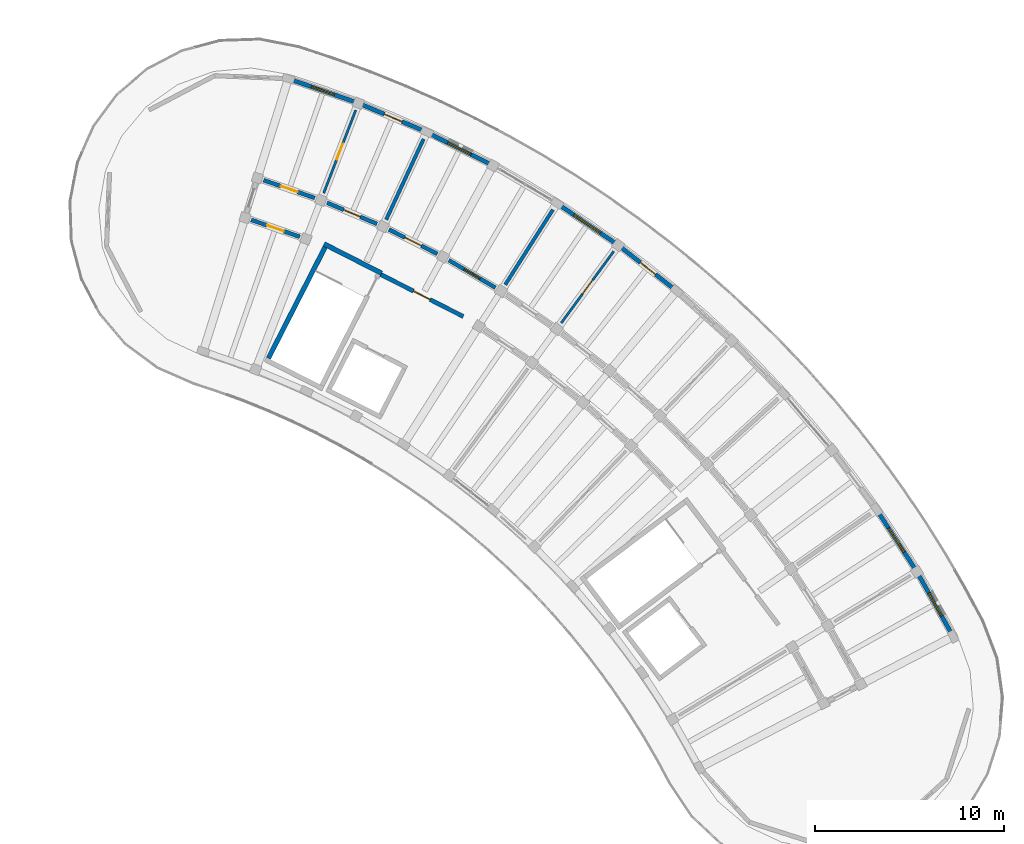
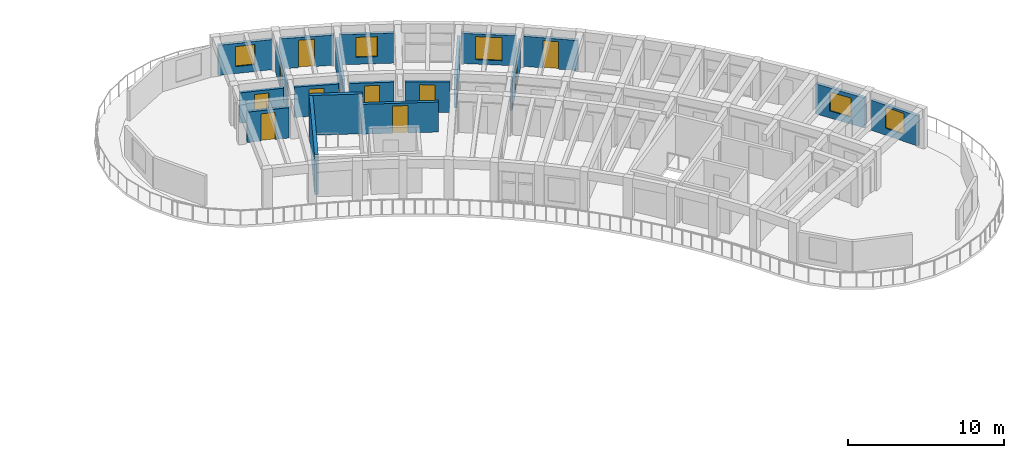
# One storey, part 24 of 32: 19 walls, 10 doors, 5 windows, 15 openings.
"""IFC4 building model written with IfcOpenShell, lengths in metres."""

from ifc_helpers import new_model, si_unit, direction, frame, frame_2d, origin, place, context, subcontext, project, spatial, rectangle, extrude, material, layer, layer_set, type_object, element, fill, save


model = new_model("IFC4")

# Units and contexts
model_context = context("Model", 3, precision=1e-05, world=origin(), true_north=direction((0.0, 1.0)))
body_context = subcontext(model_context, "Body", "Model", "MODEL_VIEW")
ifc_project = project(units=[si_unit("LENGTHUNIT", "METRE"), si_unit("AREAUNIT", "SQUARE_METRE"), si_unit("VOLUMEUNIT", "CUBIC_METRE"), si_unit("PLANEANGLEUNIT", "RADIAN"), si_unit("MASSUNIT", "GRAM", prefix="KILO")], contexts=[model_context])

# Site, building, storey
site_placement = place(None, origin())
site = spatial("IfcSite", under=ifc_project, at=site_placement, CompositionType="ELEMENT")
building_placement = place(site_placement, origin())
building = spatial("IfcBuilding", under=site, at=building_placement, Name="Tanwirah Colonnade Gardens", CompositionType="ELEMENT")
storey_placement = place(building_placement, frame((0.0, 0.0, 42.43994140625)))
storey = spatial("IfcBuildingStorey", under=building, at=storey_placement, Name="L12", CompositionType="ELEMENT", Elevation=42.43994140625)

# Wall, opening, window
ifc_material_1 = material(Name="Limestone architectural precast concrete C40/50", Category="masonry")
ifc_layer_1 = layer(ifc_material_1, 0.219970703125)
ifc_layer_set_1 = layer_set([ifc_layer_1], Name="Limestone architectural precast concrete C40/50")
wall_type_1 = type_object("IfcWallType", Name="EW-PC220", PredefinedType="SOLIDWALL", material=ifc_layer_set_1)
wall_1_placement = place(storey_placement, frame((173.82080078125, 87.687255859375, 0.0), z_axis=(0.0, 0.0, 1.0), x_axis=(-0.48821802437, 0.872721697152, 0.0)))
wall_1 = element("IfcWall", 1, at=wall_1_placement, inside=storey, type_object=wall_type_1, Name="Block B L12 OUT Precast Facade Wall 3", PredefinedType="SOLIDWALL", context=body_context, shape_type="SweptSolid", body=[
    extrude(rectangle(XDim=3.531005859375, YDim=0.219970703125, at=frame_2d((1.765625, 0.0))), origin(), (0.0, 0.0, 1.0), 2.35498046875),
])
opening_1_placement = place(wall_1_placement, frame((1.0654296875, 0.0, 0.550048828125)))
opening_1 = element("IfcOpeningElement", 2, at=opening_1_placement, cuts=wall_1, Name="Opening WIN-U07", PredefinedType="OPENING", context=body_context, shape_type="SweptSolid", body=[
    extrude(rectangle(XDim=1.39990234375, YDim=1.635009765625, at=frame_2d((0.699951171875, 0.8173828125))), frame((0.0, 0.119873046875, 0.0), z_axis=(0.0, -1.0, 0.0), x_axis=(1.0, 0.0, 0.0)), (0.0, 0.0, 1.0), 0.239990234375),
])
ifc_material_2 = material(Name="Thermally broken bronze aluminium and solar low-E double glazing", Category="aluminium")
window_type_1 = type_object("IfcWindowType", Name="WIN-U07", PartitioningType="DOUBLE_PANEL_VERTICAL", PredefinedType="WINDOW", material=ifc_material_2)
window_1_placement = place(opening_1_placement, origin())
window_1 = element("IfcWindow", 3, at=window_1_placement, inside=storey, type_object=window_type_1, Name="Facade window B-L12-OUT-03", OverallHeight=1.635009765625, OverallWidth=1.39990234375, PartitioningType="SINGLE_PANEL", PredefinedType="WINDOW", context=body_context, shape_type="SweptSolid", body=[
    extrude(rectangle(XDim=1.39990234375, YDim=1.635009765625, at=frame_2d((0.699951171875, 0.8173828125))), frame((0.0, 0.030029296875, 0.0), z_axis=(0.0, -1.0, 0.0), x_axis=(1.0, 0.0, 0.0)), (0.0, 0.0, 1.0), 0.06005859375),
])
fill(opening_1, window_1)

wall_2_placement = place(storey_placement, frame((171.859375, 91.162353515625, 0.0), z_axis=(0.0, 0.0, 1.0), x_axis=(-0.544606706198, 0.838691561639, 0.0)))
wall_2 = element("IfcWall", 4, at=wall_2_placement, inside=storey, type_object=wall_type_1, Name="Block B L12 OUT Precast Facade Wall 4", PredefinedType="SOLIDWALL", context=body_context, shape_type="SweptSolid", body=[
    extrude(rectangle(XDim=3.53076171875, YDim=0.219970703125, at=frame_2d((1.765380859375, 0.0))), origin(), (0.0, 0.0, 1.0), 2.35498046875),
])
opening_2_placement = place(wall_2_placement, frame((1.00537109375, 0.0, 0.550048828125)))
opening_2 = element("IfcOpeningElement", 5, at=opening_2_placement, cuts=wall_2, Name="Opening WIN-U10", PredefinedType="OPENING", context=body_context, shape_type="SweptSolid", body=[
    extrude(rectangle(XDim=1.52001953125, YDim=1.485107421875, at=frame_2d((0.760009765625, 0.74267578125))), frame((0.0, 0.119873046875, 0.0), z_axis=(0.0, -1.0, 0.0), x_axis=(1.0, 0.0, 0.0)), (0.0, 0.0, 1.0), 0.239990234375),
])
window_type_2 = type_object("IfcWindowType", Name="WIN-U10", PartitioningType="DOUBLE_PANEL_VERTICAL", PredefinedType="WINDOW", material=ifc_material_2)
window_2_placement = place(opening_2_placement, origin())
window_2 = element("IfcWindow", 6, at=window_2_placement, inside=storey, type_object=window_type_2, Name="Facade window B-L12-OUT-04", OverallHeight=1.485107421875, OverallWidth=1.52001953125, PartitioningType="SINGLE_PANEL", PredefinedType="WINDOW", context=body_context, shape_type="SweptSolid", body=[
    extrude(rectangle(XDim=1.52001953125, YDim=1.485107421875, at=frame_2d((0.760009765625, 0.74267578125))), frame((0.0, 0.030029296875, 0.0), z_axis=(0.0, -1.0, 0.0), x_axis=(1.0, 0.0, 0.0)), (0.0, 0.0, 1.0), 0.06005859375),
])
fill(opening_2, window_2)

# Wall, opening, door
wall_3_placement = place(storey_placement, frame((159.148193359375, 105.919677734375, 0.0), z_axis=(0.0, 0.0, 1.0), x_axis=(-0.786809962682, 0.617195335873, 0.0)))
wall_3 = element("IfcWall", 7, at=wall_3_placement, inside=storey, type_object=wall_type_1, Name="Block B L12 OUT Precast Facade Wall 9", PredefinedType="SOLIDWALL", context=body_context, shape_type="SweptSolid", body=[
    extrude(rectangle(XDim=3.53076171875, YDim=0.219970703125, at=frame_2d((1.765380859375, 0.0))), origin(), (0.0, 0.0, 1.0), 2.35498046875),
])
opening_3_placement = place(wall_3_placement, frame((1.25537109375, 0.0, 0.0)))
opening_3 = element("IfcOpeningElement", 8, at=opening_3_placement, cuts=wall_3, Name="Opening L12-ED123", PredefinedType="OPENING", context=body_context, shape_type="SweptSolid", body=[
    extrude(rectangle(XDim=1.02001953125, YDim=2.139892578125, at=frame_2d((0.510009765625, 1.06982421875))), frame((0.0, 0.119873046875, 0.0), z_axis=(0.0, -1.0, 0.0), x_axis=(1.0, 0.0, 0.0)), (0.0, 0.0, 1.0), 0.239990234375),
])
ifc_material_3 = material(Name="Bronze aluminium glazed balcony door", Category="aluminium")
door_type_1 = type_object("IfcDoorType", Name="ED-BAL102", OperationType="NOTDEFINED", PredefinedType="DOOR", material=ifc_material_3)
door_1_placement = place(opening_3_placement, origin())
door_1 = element("IfcDoor", 9, at=door_1_placement, inside=storey, type_object=door_type_1, Name="Balcony glazed door L12-ED123", OperationType="SINGLE_SWING_RIGHT", OverallHeight=2.139892578125, OverallWidth=1.02001953125, PredefinedType="DOOR", context=body_context, shape_type="SweptSolid", body=[
    extrude(rectangle(XDim=1.02001953125, YDim=2.139892578125, at=frame_2d((0.510009765625, 1.06982421875))), frame((0.0, 0.02490234375, 0.0), z_axis=(0.0, -1.0, 0.0), x_axis=(1.0, 0.0, 0.0)), (0.0, 0.0, 1.0), 0.050048828125),
])
fill(opening_3, door_1)

# Wall, opening, window
wall_4_placement = place(storey_placement, frame((155.999267578125, 108.37060546875, 0.0), z_axis=(0.0, 0.0, 1.0), x_axis=(-0.825785272096, 0.563984649072, 0.0)))
wall_4 = element("IfcWall", 10, at=wall_4_placement, inside=storey, type_object=wall_type_1, Name="Block B L12 OUT Precast Facade Wall 10", PredefinedType="SOLIDWALL", context=body_context, shape_type="SweptSolid", body=[
    extrude(rectangle(XDim=3.530517578125, YDim=0.219970703125, at=frame_2d((1.76513671875, 0.0))), origin(), (0.0, 0.0, 1.0), 2.35498046875),
])
opening_4_placement = place(wall_4_placement, frame((0.915283203125, 0.0, 0.35009765625)))
opening_4 = element("IfcOpeningElement", 11, at=opening_4_placement, cuts=wall_4, Name="Opening WIN-T12", PredefinedType="OPENING", context=body_context, shape_type="SweptSolid", body=[
    extrude(rectangle(XDim=1.699951171875, YDim=1.800048828125, at=frame_2d((0.85009765625, 0.89990234375))), frame((0.0, 0.119873046875, 0.0), z_axis=(0.0, -1.0, 0.0), x_axis=(1.0, 0.0, 0.0)), (0.0, 0.0, 1.0), 0.239990234375),
])
window_type_3 = type_object("IfcWindowType", Name="WIN-T12", PartitioningType="TRIPLE_PANEL_VERTICAL", PredefinedType="WINDOW", material=ifc_material_2)
window_3_placement = place(opening_4_placement, origin())
window_3 = element("IfcWindow", 12, at=window_3_placement, inside=storey, type_object=window_type_3, Name="Facade window B-L12-OUT-10", OverallHeight=1.800048828125, OverallWidth=1.699951171875, PartitioningType="SINGLE_PANEL", PredefinedType="WINDOW", context=body_context, shape_type="SweptSolid", body=[
    extrude(rectangle(XDim=1.699951171875, YDim=1.800048828125, at=frame_2d((0.85009765625, 0.89990234375))), frame((0.0, 0.030029296875, 0.0), z_axis=(0.0, -1.0, 0.0), x_axis=(1.0, 0.0, 0.0)), (0.0, 0.0, 1.0), 0.06005859375),
])
fill(opening_4, window_3)

wall_5_placement = place(storey_placement, frame((149.361572265625, 112.55419921875, 0.0), z_axis=(0.0, 0.0, 1.0), x_axis=(-0.892747589921, 0.450557144755, 0.0)))
wall_5 = element("IfcWall", 13, at=wall_5_placement, inside=storey, type_object=wall_type_1, Name="Block B L12 OUT Precast Facade Wall 12", PredefinedType="SOLIDWALL", context=body_context, shape_type="SweptSolid", body=[
    extrude(rectangle(XDim=3.53076171875, YDim=0.219970703125, at=frame_2d((1.765380859375, 0.0))), origin(), (0.0, 0.0, 1.0), 2.35498046875),
])
opening_5_placement = place(wall_5_placement, frame((1.0751953125, 0.0, 0.550048828125)))
opening_5 = element("IfcOpeningElement", 14, at=opening_5_placement, cuts=wall_5, Name="Opening WIN-T18", PredefinedType="OPENING", context=body_context, shape_type="SweptSolid", body=[
    extrude(rectangle(XDim=1.3798828125, YDim=1.56005859375, at=frame_2d((0.68994140625, 0.780029296875))), frame((0.0, 0.119873046875, 0.0), z_axis=(0.0, -1.0, 0.0), x_axis=(1.0, 0.0, 0.0)), (0.0, 0.0, 1.0), 0.239990234375),
])
window_type_4 = type_object("IfcWindowType", Name="WIN-T18", PartitioningType="DOUBLE_PANEL_VERTICAL", PredefinedType="WINDOW", material=ifc_material_2)
window_4_placement = place(opening_5_placement, origin())
window_4 = element("IfcWindow", 15, at=window_4_placement, inside=storey, type_object=window_type_4, Name="Facade window B-L12-OUT-12", OverallHeight=1.56005859375, OverallWidth=1.3798828125, PartitioningType="SINGLE_PANEL", PredefinedType="WINDOW", context=body_context, shape_type="SweptSolid", body=[
    extrude(rectangle(XDim=1.3798828125, YDim=1.56005859375, at=frame_2d((0.68994140625, 0.780029296875))), frame((0.0, 0.030029296875, 0.0), z_axis=(0.0, -1.0, 0.0), x_axis=(1.0, 0.0, 0.0)), (0.0, 0.0, 1.0), 0.06005859375),
])
fill(opening_5, window_4)

# Wall, opening, door
wall_6_placement = place(storey_placement, frame((145.910400390625, 114.28369140625, 0.0), z_axis=(0.0, 0.0, 1.0), x_axis=(-0.920495122718, 0.390754051869, 0.0)))
wall_6 = element("IfcWall", 16, at=wall_6_placement, inside=storey, type_object=wall_type_1, Name="Block B L12 OUT Precast Facade Wall 13", PredefinedType="SOLIDWALL", context=body_context, shape_type="SweptSolid", body=[
    extrude(rectangle(XDim=3.53076171875, YDim=0.219970703125, at=frame_2d((1.765380859375, 0.0))), origin(), (0.0, 0.0, 1.0), 2.35498046875),
])
opening_6_placement = place(wall_6_placement, frame((1.25537109375, 0.0, 0.0)))
opening_6 = element("IfcOpeningElement", 17, at=opening_6_placement, cuts=wall_6, Name="Opening L12-ED124", PredefinedType="OPENING", context=body_context, shape_type="SweptSolid", body=[
    extrude(rectangle(XDim=1.02001953125, YDim=2.139892578125, at=frame_2d((0.510009765625, 1.06982421875))), frame((0.0, 0.119873046875, 0.0), z_axis=(0.0, -1.0, 0.0), x_axis=(1.0, 0.0, 0.0)), (0.0, 0.0, 1.0), 0.239990234375),
])
door_2_placement = place(opening_6_placement, origin())
door_2 = element("IfcDoor", 18, at=door_2_placement, inside=storey, type_object=door_type_1, Name="Balcony glazed door L12-ED124", OperationType="SINGLE_SWING_RIGHT", OverallHeight=2.139892578125, OverallWidth=1.02001953125, PredefinedType="DOOR", context=body_context, shape_type="SweptSolid", body=[
    extrude(rectangle(XDim=1.02001953125, YDim=2.139892578125, at=frame_2d((0.510009765625, 1.06982421875))), frame((0.0, 0.02490234375, 0.0), z_axis=(0.0, -1.0, 0.0), x_axis=(1.0, 0.0, 0.0)), (0.0, 0.0, 1.0), 0.050048828125),
])
fill(opening_6, door_2)

# Wall, opening, window
wall_7_placement = place(storey_placement, frame((142.2314453125, 115.828857421875, 0.0), z_axis=(0.0, 0.0, 1.0), x_axis=(-0.944237181458, 0.329266070453, 0.0)))
wall_7 = element("IfcWall", 19, at=wall_7_placement, inside=storey, type_object=wall_type_1, Name="Block B L12 OUT Precast Facade Wall 14", PredefinedType="SOLIDWALL", context=body_context, shape_type="SweptSolid", body=[
    extrude(rectangle(XDim=3.53076171875, YDim=0.219970703125, at=frame_2d((1.765380859375, 0.0))), origin(), (0.0, 0.0, 1.0), 2.35498046875),
])
opening_7_placement = place(wall_7_placement, frame((1.125244140625, 0.0, 0.550048828125)))
opening_7 = element("IfcOpeningElement", 20, at=opening_7_placement, cuts=wall_7, Name="Opening WIN-U04", PredefinedType="OPENING", context=body_context, shape_type="SweptSolid", body=[
    extrude(rectangle(XDim=1.280029296875, YDim=1.56005859375, at=frame_2d((0.64013671875, 0.780029296875))), frame((0.0, 0.119873046875, 0.0), z_axis=(0.0, -1.0, 0.0), x_axis=(1.0, 0.0, 0.0)), (0.0, 0.0, 1.0), 0.239990234375),
])
window_type_5 = type_object("IfcWindowType", Name="WIN-U04", PartitioningType="DOUBLE_PANEL_VERTICAL", PredefinedType="WINDOW", material=ifc_material_2)
window_5_placement = place(opening_7_placement, origin())
window_5 = element("IfcWindow", 21, at=window_5_placement, inside=storey, type_object=window_type_5, Name="Facade window B-L12-OUT-14", OverallHeight=1.56005859375, OverallWidth=1.280029296875, PartitioningType="SINGLE_PANEL", PredefinedType="WINDOW", context=body_context, shape_type="SweptSolid", body=[
    extrude(rectangle(XDim=1.280029296875, YDim=1.56005859375, at=frame_2d((0.64013671875, 0.780029296875))), frame((0.0, 0.030029296875, 0.0), z_axis=(0.0, -1.0, 0.0), x_axis=(1.0, 0.0, 0.0)), (0.0, 0.0, 1.0), 0.06005859375),
])
fill(opening_7, window_5)

# Wall, opening, door
ifc_material_4 = material(Name="Precast concrete C40/50", Category="concrete")
ifc_layer_2 = layer(ifc_material_4, 0.205078125)
ifc_layer_set_2 = layer_set([ifc_layer_2], Name="Precast concrete C40/50")
wall_type_2 = type_object("IfcWallType", Name="IW-CORR205", PredefinedType="PARTITIONING", material=ifc_layer_set_2)
wall_8_placement = place(storey_placement, frame((149.6953125, 105.991455078125, 0.0), z_axis=(0.0, 0.0, 1.0), x_axis=(-0.861113214678, 0.508413248753, 0.0)))
wall_8 = element("IfcWall", 22, at=wall_8_placement, inside=storey, type_object=wall_type_2, Name="Block B L12 OUT Corridor Wall 11", PredefinedType="PARTITIONING", context=body_context, shape_type="SweptSolid", body=[
    extrude(rectangle(XDim=2.863037109375, YDim=0.205078125, at=frame_2d((1.431640625, 0.0))), origin(), (0.0, 0.0, 1.0), 2.3701171875),
])
opening_8_placement = place(wall_8_placement, frame((0.9365234375, 0.0, 0.0)))
opening_8 = element("IfcOpeningElement", 23, at=opening_8_placement, cuts=wall_8, Name="Opening L12-AD1271", PredefinedType="OPENING", context=body_context, shape_type="SweptSolid", body=[
    extrude(rectangle(XDim=0.989990234375, YDim=2.159912109375, at=frame_2d((0.4951171875, 1.080078125))), frame((0.0, 0.112548828125, 0.0), z_axis=(0.0, -1.0, 0.0), x_axis=(1.0, 0.0, 0.0)), (0.0, 0.0, 1.0), 0.22509765625),
])
ifc_material_5 = material(Name="Solid oak fire-resisting apartment entrance door")
door_type_2 = type_object("IfcDoorType", Name="ID-FLT099", OperationType="NOTDEFINED", PredefinedType="DOOR", material=ifc_material_5)
door_3_placement = place(opening_8_placement, origin())
door_3 = element("IfcDoor", 24, at=door_3_placement, inside=storey, type_object=door_type_2, Name="Apartment corridor door L12-AD1271", OperationType="SINGLE_SWING_RIGHT", OverallHeight=2.159912109375, OverallWidth=0.989990234375, PredefinedType="DOOR", context=body_context, shape_type="SweptSolid", body=[
    extrude(rectangle(XDim=0.989990234375, YDim=2.159912109375, at=frame_2d((0.4951171875, 1.080078125))), frame((0.0, 0.02490234375, 0.0), z_axis=(0.0, -1.0, 0.0), x_axis=(1.0, 0.0, 0.0)), (0.0, 0.0, 1.0), 0.050048828125),
])
fill(opening_8, door_3)

wall_9_placement = place(storey_placement, frame((146.615966796875, 107.782470703125, 0.0), z_axis=(0.0, 0.0, 1.0), x_axis=(-0.89273239336, 0.450587254419, 0.0)))
wall_9 = element("IfcWall", 25, at=wall_9_placement, inside=storey, type_object=wall_type_2, Name="Block B L12 OUT Corridor Wall 12", PredefinedType="PARTITIONING", context=body_context, shape_type="SweptSolid", body=[
    extrude(rectangle(XDim=2.863037109375, YDim=0.205078125, at=frame_2d((1.431640625, 0.0))), origin(), (0.0, 0.0, 1.0), 2.3701171875),
])
opening_9_placement = place(wall_9_placement, frame((0.946533203125, 0.0, 0.0)))
opening_9 = element("IfcOpeningElement", 26, at=opening_9_placement, cuts=wall_9, Name="Opening L12-AD1272", PredefinedType="OPENING", context=body_context, shape_type="SweptSolid", body=[
    extrude(rectangle(XDim=0.969970703125, YDim=2.14990234375, at=frame_2d((0.48486328125, 1.074951171875))), frame((0.0, 0.112548828125, 0.0), z_axis=(0.0, -1.0, 0.0), x_axis=(1.0, 0.0, 0.0)), (0.0, 0.0, 1.0), 0.22509765625),
])
door_type_3 = type_object("IfcDoorType", Name="ID-FLT097", OperationType="NOTDEFINED", PredefinedType="DOOR", material=ifc_material_5)
door_4_placement = place(opening_9_placement, origin())
door_4 = element("IfcDoor", 27, at=door_4_placement, inside=storey, type_object=door_type_3, Name="Apartment corridor door L12-AD1272", OperationType="SINGLE_SWING_LEFT", OverallHeight=2.14990234375, OverallWidth=0.969970703125, PredefinedType="DOOR", context=body_context, shape_type="SweptSolid", body=[
    extrude(rectangle(XDim=0.969970703125, YDim=2.14990234375, at=frame_2d((0.48486328125, 1.074951171875))), frame((0.0, 0.02490234375, 0.0), z_axis=(0.0, -1.0, 0.0), x_axis=(1.0, 0.0, 0.0)), (0.0, 0.0, 1.0), 0.050048828125),
])
fill(opening_9, door_4)

wall_10_placement = place(storey_placement, frame((143.42529296875, 109.366943359375, 0.0), z_axis=(0.0, 0.0, 1.0), x_axis=(-0.920511160294, 0.390716270168, 0.0)))
wall_10 = element("IfcWall", 28, at=wall_10_placement, inside=storey, type_object=wall_type_2, Name="Block B L12 OUT Corridor Wall 13", PredefinedType="PARTITIONING", context=body_context, shape_type="SweptSolid", body=[
    extrude(rectangle(XDim=2.863037109375, YDim=0.205078125, at=frame_2d((1.431640625, 0.0))), origin(), (0.0, 0.0, 1.0), 2.3701171875),
])
opening_10_placement = place(wall_10_placement, frame((0.95654296875, 0.0, 0.0)))
opening_10 = element("IfcOpeningElement", 29, at=opening_10_placement, cuts=wall_10, Name="Opening L12-AD1273", PredefinedType="OPENING", context=body_context, shape_type="SweptSolid", body=[
    extrude(rectangle(XDim=0.949951171875, YDim=2.1298828125, at=frame_2d((0.47509765625, 1.06494140625))), frame((0.0, 0.112548828125, 0.0), z_axis=(0.0, -1.0, 0.0), x_axis=(1.0, 0.0, 0.0)), (0.0, 0.0, 1.0), 0.22509765625),
])
door_type_4 = type_object("IfcDoorType", Name="ID-FLT095", OperationType="NOTDEFINED", PredefinedType="DOOR", material=ifc_material_5)
door_5_placement = place(opening_10_placement, origin())
door_5 = element("IfcDoor", 30, at=door_5_placement, inside=storey, type_object=door_type_4, Name="Apartment corridor door L12-AD1273", OperationType="SINGLE_SWING_RIGHT", OverallHeight=2.1298828125, OverallWidth=0.949951171875, PredefinedType="DOOR", context=body_context, shape_type="SweptSolid", body=[
    extrude(rectangle(XDim=0.949951171875, YDim=2.1298828125, at=frame_2d((0.47509765625, 1.06494140625))), frame((0.0, 0.02490234375, 0.0), z_axis=(0.0, -1.0, 0.0), x_axis=(1.0, 0.0, 0.0)), (0.0, 0.0, 1.0), 0.050048828125),
])
fill(opening_10, door_5)

wall_11_placement = place(storey_placement, frame((140.13720703125, 110.737548828125, 0.0), z_axis=(0.0, 0.0, 1.0), x_axis=(-0.944253820929, 0.329218349522, 0.0)))
wall_11 = element("IfcWall", 31, at=wall_11_placement, inside=storey, type_object=wall_type_2, Name="Block B L12 OUT Corridor Wall 14", PredefinedType="PARTITIONING", context=body_context, shape_type="SweptSolid", body=[
    extrude(rectangle(XDim=2.86328125, YDim=0.205078125, at=frame_2d((1.431640625, 0.0))), origin(), (0.0, 0.0, 1.0), 2.3701171875),
])
opening_11_placement = place(wall_11_placement, frame((0.966552734375, 0.0, 0.0)))
opening_11 = element("IfcOpeningElement", 32, at=opening_11_placement, cuts=wall_11, Name="Opening L12-AD1275", PredefinedType="OPENING", context=body_context, shape_type="SweptSolid", body=[
    extrude(rectangle(XDim=0.929931640625, YDim=2.1201171875, at=frame_2d((0.46484375, 1.06005859375))), frame((0.0, 0.112548828125, 0.0), z_axis=(0.0, -1.0, 0.0), x_axis=(1.0, 0.0, 0.0)), (0.0, 0.0, 1.0), 0.22509765625),
])
door_type_5 = type_object("IfcDoorType", Name="ID-FLT093", OperationType="NOTDEFINED", PredefinedType="DOOR", material=ifc_material_5)
door_6_placement = place(opening_11_placement, origin())
door_6 = element("IfcDoor", 33, at=door_6_placement, inside=storey, type_object=door_type_5, Name="Apartment corridor door L12-AD1275", OperationType="SINGLE_SWING_LEFT", OverallHeight=2.1201171875, OverallWidth=0.929931640625, PredefinedType="DOOR", context=body_context, shape_type="SweptSolid", body=[
    extrude(rectangle(XDim=0.929931640625, YDim=2.1201171875, at=frame_2d((0.46484375, 1.06005859375))), frame((0.0, 0.02490234375, 0.0), z_axis=(0.0, -1.0, 0.0), x_axis=(1.0, 0.0, 0.0)), (0.0, 0.0, 1.0), 0.050048828125),
])
fill(opening_11, door_6)

wall_12_placement = place(storey_placement, frame((139.3447265625, 108.685302734375, 0.0), z_axis=(0.0, 0.0, 1.0), x_axis=(-0.944265123647, 0.329185929627, 0.0)))
wall_12 = element("IfcWall", 34, at=wall_12_placement, inside=storey, type_object=wall_type_2, Name="Block B L12 IN Corridor Wall 14", PredefinedType="PARTITIONING", context=body_context, shape_type="SweptSolid", body=[
    extrude(rectangle(XDim=2.71826171875, YDim=0.205078125, at=frame_2d((1.359130859375, 0.0))), origin(), (0.0, 0.0, 1.0), 2.3701171875),
])
opening_12_placement = place(wall_12_placement, frame((0.89404296875, 0.0, 0.0)))
opening_12 = element("IfcOpeningElement", 35, at=opening_12_placement, cuts=wall_12, Name="Opening L12-AD1276", PredefinedType="OPENING", context=body_context, shape_type="SweptSolid", body=[
    extrude(rectangle(XDim=0.929931640625, YDim=2.1201171875, at=frame_2d((0.46484375, 1.06005859375))), frame((0.0, 0.112548828125, 0.0), z_axis=(0.0, -1.0, 0.0), x_axis=(1.0, 0.0, 0.0)), (0.0, 0.0, 1.0), 0.22509765625),
])
door_7_placement = place(opening_12_placement, origin())
door_7 = element("IfcDoor", 36, at=door_7_placement, inside=storey, type_object=door_type_5, Name="Apartment corridor door L12-AD1276", OperationType="SINGLE_SWING_RIGHT", OverallHeight=2.1201171875, OverallWidth=0.929931640625, PredefinedType="DOOR", context=body_context, shape_type="SweptSolid", body=[
    extrude(rectangle(XDim=0.929931640625, YDim=2.1201171875, at=frame_2d((0.46484375, 1.06005859375))), frame((0.0, 0.02490234375, 0.0), z_axis=(0.0, -1.0, 0.0), x_axis=(1.0, 0.0, 0.0)), (0.0, 0.0, 1.0), 0.050048828125),
])
fill(opening_12, door_7)

# Walls
ifc_layer_3 = layer(ifc_material_4, 0.18505859375)
ifc_layer_set_3 = layer_set([ifc_layer_3], Name="Precast concrete C40/50")
wall_type_3 = type_object("IfcWallType", Name="IW-DEM185", PredefinedType="PARTITIONING", material=ifc_layer_set_3)
for number, where, z_axis, x_axis, name in (
    (37, (150.21142578125, 106.151123046875, 0.0), (0.0, 0.0, 1.0), (0.536492262982, 0.843905238614, 0.0), "Block B L12 Radial Partition 10"),
    (38, (143.915771484375, 109.593017578125, 0.0), (0.0, 0.0, 1.0), (0.420862519045, 0.907124434718, 0.0), "Block B L12 Radial Partition 12"),
):
    element("IfcWall", number, at=place(storey_placement, frame(where, z_axis=z_axis, x_axis=x_axis)), inside=storey, type_object=wall_type_3, Name=name, PredefinedType="PARTITIONING", context=body_context, shape_type="SweptSolid", body=[
        extrude(rectangle(XDim=4.699951171875, YDim=0.18505859375, at=frame_2d((2.35009765625, 0.0))), origin(), (0.0, 0.0, 1.0), 2.3701171875),
    ])

# Wall, opening, door
ifc_material_6 = material(Name="Autoclaved aerated masonry blockwork", Category="masonry")
ifc_layer_4 = layer(ifc_material_6, 0.219970703125)
ifc_layer_set_4 = layer_set([ifc_layer_4], Name="Autoclaved aerated masonry blockwork")
wall_type_4 = type_object("IfcWallType", Name="IW-FFL220", PredefinedType="PARTITIONING", material=ifc_layer_set_4)
wall_13_placement = place(storey_placement, frame((143.624755859375, 106.6962890625, 0.0), z_axis=(0.0, 0.0, 1.0), x_axis=(0.891003372311, -0.453996685595, 0.0)))
wall_13 = element("IfcWall", 39, at=wall_13_placement, inside=storey, type_object=wall_type_4, Name="CORE-B2 L12 Enclosed Lobby Fire Wall", PredefinedType="PARTITIONING", context=body_context, shape_type="SweptSolid", body=[
    extrude(rectangle(XDim=4.900146484375, YDim=0.219970703125, at=frame_2d((2.4501953125, 0.0))), origin(), (0.0, 0.0, 1.0), 2.340087890625),
])
opening_13_placement = place(wall_13_placement, frame((1.949951171875, 0.0, 0.0)))
opening_13 = element("IfcOpeningElement", 40, at=opening_13_placement, cuts=wall_13, Name="Opening L12-LD120", PredefinedType="OPENING", context=body_context, shape_type="SweptSolid", body=[
    extrude(rectangle(XDim=0.97998046875, YDim=2.139892578125, at=frame_2d((0.489990234375, 1.06982421875))), frame((0.0, 0.119873046875, 0.0), z_axis=(0.0, -1.0, 0.0), x_axis=(1.0, 0.0, 0.0)), (0.0, 0.0, 1.0), 0.239990234375),
])
ifc_material_7 = material(Name="Acoustic fire-resisting lobby door")
door_type_6 = type_object("IfcDoorType", Name="ID-FFL098", OperationType="NOTDEFINED", PredefinedType="DOOR", material=ifc_material_7)
door_8_placement = place(opening_13_placement, origin())
door_8 = element("IfcDoor", 41, at=door_8_placement, inside=storey, type_object=door_type_6, Name="CORE-B2 L12 Lobby Fire Door L12-LD120", OperationType="SINGLE_SWING_LEFT", OverallHeight=2.139892578125, OverallWidth=0.97998046875, PredefinedType="DOOR", context=body_context, shape_type="SweptSolid", body=[
    extrude(rectangle(XDim=0.97998046875, YDim=2.139892578125, at=frame_2d((0.489990234375, 1.06982421875))), frame((0.0, 0.02490234375, 0.0), z_axis=(0.0, -1.0, 0.0), x_axis=(1.0, 0.0, 0.0)), (0.0, 0.0, 1.0), 0.050048828125),
])
fill(opening_13, door_8)

ifc_material_8 = material(Name="Moisture-resistant gypsum stud partition")
ifc_layer_5 = layer(ifc_material_8, 0.125)
ifc_layer_set_5 = layer_set([ifc_layer_5], Name="Moisture-resistant gypsum stud partition")
wall_type_5 = type_object("IfcWallType", Name="IW-INT125", PredefinedType="PARTITIONING", material=ifc_layer_set_5)
wall_14_placement = place(storey_placement, frame((153.175537109375, 104.12646484375, 0.0), z_axis=(0.0, 0.0, 1.0), x_axis=(0.590910940129, 0.806736797745, 0.0)))
wall_14 = element("IfcWall", 42, at=wall_14_placement, inside=storey, type_object=wall_type_5, Name="Block B L12 Radial Partition 9", PredefinedType="PARTITIONING", context=body_context, shape_type="SweptSolid", body=[
    extrude(rectangle(XDim=4.7001953125, YDim=0.125, at=frame_2d((2.35009765625, 0.0))), origin(), (0.0, 0.0, 1.0), 2.3701171875),
])
opening_14_placement = place(wall_14_placement, frame((1.89501953125, 0.0, 0.0)))
opening_14 = element("IfcOpeningElement", 43, at=opening_14_placement, cuts=wall_14, Name="Opening L12-RD1267", PredefinedType="OPENING", context=body_context, shape_type="SweptSolid", body=[
    extrude(rectangle(XDim=0.909912109375, YDim=2.10009765625, at=frame_2d((0.455078125, 1.050048828125))), frame((0.0, 0.072509765625, 0.0), z_axis=(0.0, -1.0, 0.0), x_axis=(1.0, 0.0, 0.0)), (0.0, 0.0, 1.0), 0.14501953125),
])
ifc_material_9 = material(Name="Painted hardwood internal room door", Category="wood")
door_type_7 = type_object("IfcDoorType", Name="ID-RM091", OperationType="NOTDEFINED", PredefinedType="DOOR", material=ifc_material_9)
door_9_placement = place(opening_14_placement, origin())
door_9 = element("IfcDoor", 44, at=door_9_placement, inside=storey, type_object=door_type_7, Name="Internal apartment door L12-RD1267", OperationType="SINGLE_SWING_RIGHT", OverallHeight=2.10009765625, OverallWidth=0.909912109375, PredefinedType="DOOR", context=body_context, shape_type="SweptSolid", body=[
    extrude(rectangle(XDim=0.909912109375, YDim=2.10009765625, at=frame_2d((0.455078125, 1.050048828125))), frame((0.0, 0.02490234375, 0.0), z_axis=(0.0, -1.0, 0.0), x_axis=(1.0, 0.0, 0.0)), (0.0, 0.0, 1.0), 0.050048828125),
])
fill(opening_14, door_9)

wall_15_placement = place(storey_placement, frame((140.611572265625, 110.99560546875, 0.0), z_axis=(0.0, 0.0, 1.0), x_axis=(0.360186633854, 0.932880264982, 0.0)))
wall_15 = element("IfcWall", 45, at=wall_15_placement, inside=storey, type_object=wall_type_5, Name="Block B L12 Radial Partition 13", PredefinedType="PARTITIONING", context=body_context, shape_type="SweptSolid", body=[
    extrude(rectangle(XDim=4.699951171875, YDim=0.125, at=frame_2d((2.35009765625, 0.0))), origin(), (0.0, 0.0, 1.0), 2.3701171875),
])
opening_15_placement = place(wall_15_placement, frame((1.905029296875, 0.0, 0.0)))
opening_15 = element("IfcOpeningElement", 46, at=opening_15_placement, cuts=wall_15, Name="Opening L12-RD1274", PredefinedType="OPENING", context=body_context, shape_type="SweptSolid", body=[
    extrude(rectangle(XDim=0.889892578125, YDim=2.10009765625, at=frame_2d((0.44482421875, 1.050048828125))), frame((0.0, 0.072509765625, 0.0), z_axis=(0.0, -1.0, 0.0), x_axis=(1.0, 0.0, 0.0)), (0.0, 0.0, 1.0), 0.14501953125),
])
ifc_material_10 = material(Name="Painted hardwood bedroom door", Category="wood")
door_type_8 = type_object("IfcDoorType", Name="ID-RM089", OperationType="NOTDEFINED", PredefinedType="DOOR", material=ifc_material_10)
door_10_placement = place(opening_15_placement, origin())
door_10 = element("IfcDoor", 47, at=door_10_placement, inside=storey, type_object=door_type_8, Name="Internal apartment door L12-RD1274", OperationType="SINGLE_SWING_RIGHT", OverallHeight=2.10009765625, OverallWidth=0.889892578125, PredefinedType="DOOR", context=body_context, shape_type="SweptSolid", body=[
    extrude(rectangle(XDim=0.889892578125, YDim=2.10009765625, at=frame_2d((0.44482421875, 1.050048828125))), frame((0.0, 0.02490234375, 0.0), z_axis=(0.0, -1.0, 0.0), x_axis=(1.0, 0.0, 0.0)), (0.0, 0.0, 1.0), 0.050048828125),
])
fill(opening_15, door_10)

# Walls
ifc_material_11 = material(Name="Concrete C45/55", Category="concrete")
ifc_layer_6 = layer(ifc_material_11, 0.25)
ifc_layer_set_6 = layer_set([ifc_layer_6], Name="Concrete C45/55")
wall_type_6 = type_object("IfcWallType", Name="SW-CORE250", PredefinedType="SHEAR", material=ifc_layer_set_6)
wall_16_placement = place(storey_placement, frame((140.68408203125, 108.138671875, 0.0), z_axis=(0.0, 0.0, 1.0), x_axis=(-0.453992276384, -0.891005618941, 0.0)))
element("IfcWall", 48, at=wall_16_placement, inside=storey, type_object=wall_type_6, Name="CORE-B2 L12 Stair Shaft Shear Wall LEFT", PredefinedType="SHEAR", context=body_context, shape_type="SweptSolid", body=[
    extrude(rectangle(XDim=6.599853515625, YDim=0.25, at=frame_2d((3.2998046875, 0.0))), origin(), (0.0, 0.0, 1.0), 3.110107421875),
])
wall_17_placement = place(storey_placement, frame((140.62939453125, 108.306640625, 0.0), z_axis=(0.0, 0.0, 1.0), x_axis=(0.891032414707, -0.453939683153, 0.0)))
element("IfcWall", 49, at=wall_17_placement, inside=storey, type_object=wall_type_6, Name="CORE-B2 L12 Stair Shaft Shear Wall NEAR", PredefinedType="SHEAR", context=body_context, shape_type="SweptSolid", body=[
    extrude(rectangle(XDim=3.419921875, YDim=0.25, at=frame_2d((1.7099609375, 0.0))), origin(), (0.0, 0.0, 1.0), 3.110107421875),
])

save(model, "model.ifc")
